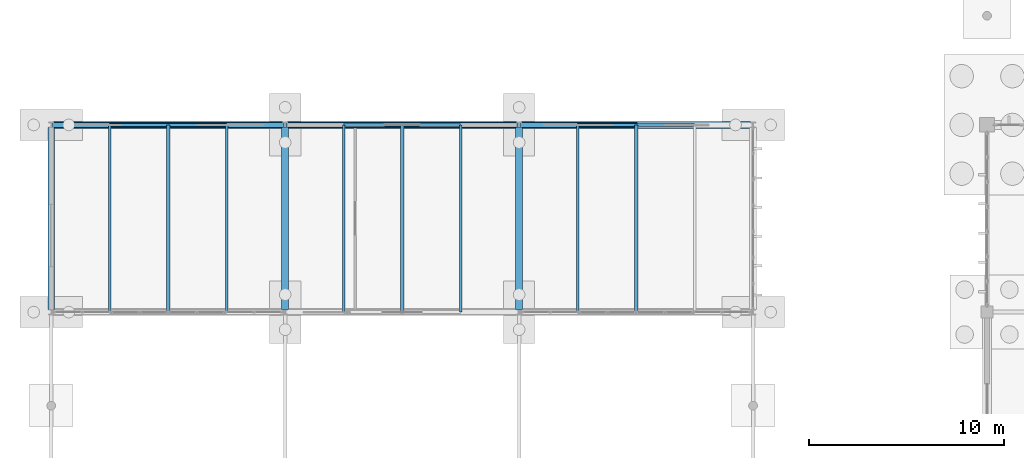
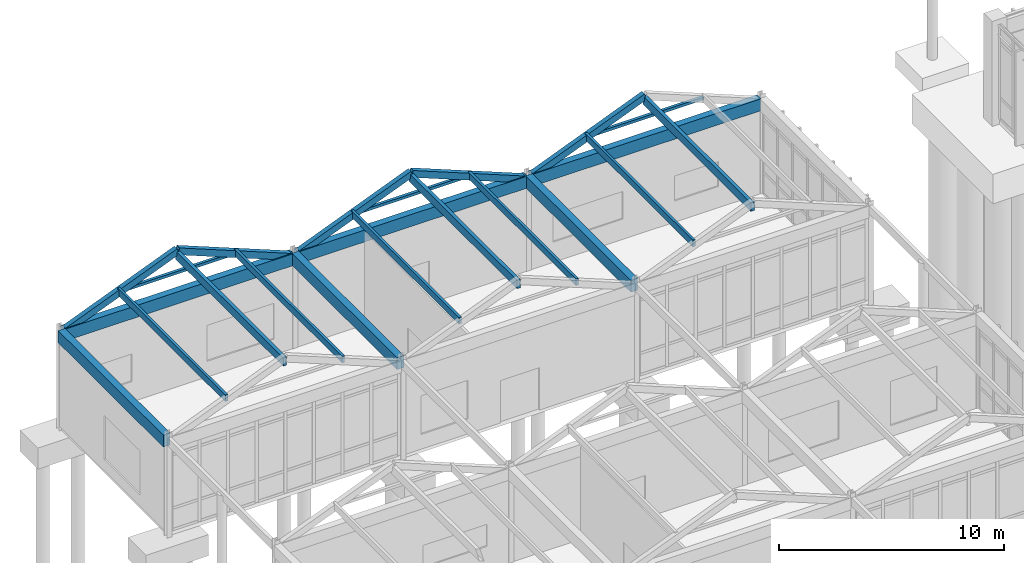
# One storey, part 66 of 188: 16 members, 6 beams.
"""IFC4 building model written with IfcOpenShell, lengths in metres."""

from ifc_helpers import new_model, si_unit, direction, frame, origin, origin_2d, place, context, subcontext, project, spatial, rectangle, hollow_rectangle, extrude, material, material_profile, profile_set, type_object, element, save


model = new_model("IFC4")

# Units and contexts
model_context = context("Model", 3, precision=1e-05, world=origin(), true_north=direction((0.0, 1.0)))
body_context = subcontext(model_context, "Body", "Model", "MODEL_VIEW")
ifc_project = project(units=[si_unit("LENGTHUNIT", "METRE"), si_unit("AREAUNIT", "SQUARE_METRE"), si_unit("VOLUMEUNIT", "CUBIC_METRE"), si_unit("PLANEANGLEUNIT", "RADIAN"), si_unit("MASSUNIT", "GRAM", prefix="KILO")], contexts=[model_context])

# Site, building, storey
site_placement = place(None, origin())
site = spatial("IfcSite", under=ifc_project, at=site_placement, CompositionType="ELEMENT")
building_placement = place(site_placement, origin())
building = spatial("IfcBuilding", under=site, at=building_placement, Name="Pandanus Reach Market Hall", CompositionType="ELEMENT")
storey_placement = place(building_placement, origin())
storey = spatial("IfcBuildingStorey", under=building, at=storey_placement, Name="L00", CompositionType="ELEMENT", Elevation=0.0)

# Beams
ifc_material_1 = material(Name="Concrete N40 (40 MPa)", Category="concrete")
ifc_material_profile_1 = material_profile(ifc_material_1, rectangle(XDim=0.35009765625, YDim=0.64990234375, at=origin_2d()), Name="RC350x650", Category="LoadBearing")
ifc_profile_set_1 = profile_set([ifc_material_profile_1], Name="Concrete N40 (40 MPa)")
beam_type = type_object("IfcBeamType", Name="BM-RC350-E", PredefinedType="SPANDREL", material=ifc_profile_set_1)
for number, where, z_axis, x_axis, name in (
    (1, (0.0, 76.925048828125, 4.8798828125), (0.0, 1.0, 0.0), (-1.0, 0.0, 0.0), "Framing beam BM-RC350-E L00.1172"),
    (2, (12.0, 76.925048828125, 4.8798828125), (0.0, 1.0, 0.0), (-1.0, 0.0, 0.0), "Framing beam BM-RC350-E L00.1173"),
):
    element("IfcBeam", number, at=place(storey_placement, frame(where, z_axis=z_axis, x_axis=x_axis)), inside=storey, type_object=beam_type, Name=name, PredefinedType="SPANDREL", context=body_context, shape_type="SweptSolid", body=[
        extrude(rectangle(XDim=0.35009765625, YDim=0.64990234375, at=origin_2d()), origin(), (0.0, 0.0, 1.0), 9.349853515625),
    ])
beam_1_placement = place(storey_placement, frame((0.125, 86.39990234375, 4.8798828125), z_axis=(1.0, 0.0, 0.0), x_axis=(0.0, 1.0, 0.0)))
element("IfcBeam", 3, at=beam_1_placement, inside=storey, type_object=beam_type, Name="Framing beam BM-RC350-E L00.1175", PredefinedType="SPANDREL", context=body_context, shape_type="SweptSolid", body=[
    extrude(rectangle(XDim=0.35009765625, YDim=0.64990234375, at=origin_2d()), origin(), (0.0, 0.0, 1.0), 11.75),
])
beam_2_placement = place(storey_placement, frame((24.0, 76.925048828125, 4.8798828125), z_axis=(0.0, 1.0, 0.0), x_axis=(-1.0, 0.0, 0.0)))
element("IfcBeam", 4, at=beam_2_placement, inside=storey, type_object=beam_type, Name="Framing beam BM-RC350-E L00.1176", PredefinedType="SPANDREL", context=body_context, shape_type="SweptSolid", body=[
    extrude(rectangle(XDim=0.35009765625, YDim=0.64990234375, at=origin_2d()), origin(), (0.0, 0.0, 1.0), 9.349853515625),
])
for number, where, z_axis, x_axis, name in (
    (5, (12.125, 86.39990234375, 4.8798828125), (1.0, 0.0, 0.0), (0.0, 1.0, 0.0), "Framing beam BM-RC350-E L00.1178"),
    (6, (24.125, 86.39990234375, 4.8798828125), (1.0, 0.0, 0.0), (0.0, 1.0, 0.0), "Framing beam BM-RC350-E L00.1181"),
):
    element("IfcBeam", number, at=place(storey_placement, frame(where, z_axis=z_axis, x_axis=x_axis)), inside=storey, type_object=beam_type, Name=name, PredefinedType="SPANDREL", context=body_context, shape_type="SweptSolid", body=[
        extrude(rectangle(XDim=0.35009765625, YDim=0.64990234375, at=origin_2d()), origin(), (0.0, 0.0, 1.0), 11.75),
    ])

# Members
ifc_material_2 = material(Name="Steel Grade 350 (350 MPa)", Category="steel")
ifc_material_profile_2 = material_profile(ifc_material_2, hollow_rectangle(XDim=0.14990234375, YDim=0.14990234375, WallThickness=0.009033203125, at=origin_2d()), Name="150x150x9.0SHS", Category="LoadBearing")
ifc_profile_set_2 = profile_set([ifc_material_profile_2], Name="Steel Grade 350 (350 MPa)")
member_type_1 = type_object("IfcMemberType", Name="CL-SHS150-I", PredefinedType="COLLAR", material=ifc_profile_set_2)
for number, where, z_axis, x_axis, name in (
    (7, (3.0, 86.39990234375, 6.166748046875), (1.0, 0.0, 0.0), (0.0, 1.0, 0.0), "Gable collar tie R3.B1"),
    (8, (15.0, 86.39990234375, 6.166748046875), (1.0, 0.0, 0.0), (0.0, 1.0, 0.0), "Gable collar tie R3.B2"),
    (9, (27.0, 86.39990234375, 6.166748046875), (1.0, 0.0, 0.0), (0.0, 1.0, 0.0), "Gable collar tie R3.B3"),
):
    element("IfcMember", number, at=place(storey_placement, frame(where, z_axis=z_axis, x_axis=x_axis)), inside=storey, type_object=member_type_1, Name=name, PredefinedType="COLLAR", context=body_context, shape_type="SweptSolid", body=[
        extrude(hollow_rectangle(XDim=0.14990234375, YDim=0.14990234375, WallThickness=0.009033203125, at=origin_2d()), origin(), (0.0, 0.0, 1.0), 6.0),
    ])
ifc_material_3 = material(Name="Glulam timber GL17", Category="wood")
ifc_material_profile_3 = material_profile(ifc_material_3, rectangle(XDim=0.1298828125, YDim=0.360107421875, at=origin_2d()), Name="GL130x360", Category="LoadBearing")
ifc_profile_set_3 = profile_set([ifc_material_profile_3], Name="Glulam timber GL17")
member_type_2 = type_object("IfcMemberType", Name="PR-GL130-E", PredefinedType="PURLIN", material=ifc_profile_set_3)
for number, where, z_axis, x_axis, name in (
    (10, (3.0, 76.800048828125, 6.189697265625), (0.0, 1.0, 0.0), (-1.0, 0.0, 0.0), "Gable slope glulam purlin R3.B1W"),
    (11, (9.0, 76.800048828125, 6.189697265625), (0.0, 1.0, 0.0), (-1.0, 0.0, 0.0), "Gable slope glulam purlin R3.B1E"),
    (12, (15.0, 76.800048828125, 6.189697265625), (0.0, 1.0, 0.0), (-1.0, 0.0, 0.0), "Gable slope glulam purlin R3.B2W"),
    (13, (21.0, 76.800048828125, 6.189697265625), (0.0, 1.0, 0.0), (-1.0, 0.0, 0.0), "Gable slope glulam purlin R3.B2E"),
    (14, (27.0, 76.800048828125, 6.189697265625), (0.0, 1.0, 0.0), (-1.0, 0.0, 0.0), "Gable slope glulam purlin R3.B3W"),
):
    element("IfcMember", number, at=place(storey_placement, frame(where, z_axis=z_axis, x_axis=x_axis)), inside=storey, type_object=member_type_2, Name=name, PredefinedType="PURLIN", context=body_context, shape_type="SweptSolid", body=[
        extrude(rectangle(XDim=0.1298828125, YDim=0.360107421875, at=origin_2d()), origin(), (0.0, 0.0, 1.0), 9.599853515625),
    ])
ifc_material_profile_4 = material_profile(ifc_material_3, rectangle(XDim=0.175048828125, YDim=0.449951171875, at=origin_2d()), Name="GL175x450", Category="LoadBearing")
ifc_profile_set_4 = profile_set([ifc_material_profile_4], Name="Glulam timber GL17")
member_type_3 = type_object("IfcMemberType", Name="PR-GL175-E", PredefinedType="PURLIN", material=ifc_profile_set_4)
for number, where, z_axis, x_axis, name in (
    (15, (6.0, 76.800048828125, 7.11865234375), (0.0, 1.0, 0.0), (-1.0, 0.0, 0.0), "Gable ridge glulam purlin R3.B1"),
    (16, (18.0, 76.800048828125, 7.11865234375), (0.0, 1.0, 0.0), (-1.0, 0.0, 0.0), "Gable ridge glulam purlin R3.B2"),
    (17, (30.0, 76.800048828125, 7.11865234375), (0.0, 1.0, 0.0), (-1.0, 0.0, 0.0), "Gable ridge glulam purlin R3.B3"),
):
    element("IfcMember", number, at=place(storey_placement, frame(where, z_axis=z_axis, x_axis=x_axis)), inside=storey, type_object=member_type_3, Name=name, PredefinedType="PURLIN", context=body_context, shape_type="SweptSolid", body=[
        extrude(rectangle(XDim=0.175048828125, YDim=0.449951171875, at=origin_2d()), origin(), (0.0, 0.0, 1.0), 9.599853515625),
    ])
ifc_material_profile_5 = material_profile(ifc_material_2, hollow_rectangle(XDim=0.25, YDim=0.35009765625, WallThickness=0.012451171875, at=origin_2d()), Name="350x250x12.5RHS", Category="LoadBearing")
ifc_profile_set_5 = profile_set([ifc_material_profile_5], Name="Steel Grade 350 (350 MPa)")
member_type_4 = type_object("IfcMemberType", Name="RF-RHS350-E", PredefinedType="RAFTER", material=ifc_profile_set_5)
for number, where, z_axis, x_axis, name in (
    (18, (0.1201171875, 86.39990234375, 4.985107421875), (0.927845665363, 0.0, 0.372964369971), (0.0, 1.0, 0.0), "Steep gable rafter R3.B1W"),
    (19, (6.0, 86.39990234375, 7.3486328125), (0.927845665363, 0.0, -0.372964369971), (0.0, 1.0, 0.0), "Steep gable rafter R3.B1E"),
    (20, (12.1201171875, 86.39990234375, 4.985107421875), (0.927845665363, 0.0, 0.372964369971), (0.0, 1.0, 0.0), "Steep gable rafter R3.B2W"),
    (21, (18.0, 86.39990234375, 7.3486328125), (0.927845665363, 0.0, -0.372964369971), (0.0, 1.0, 0.0), "Steep gable rafter R3.B2E"),
    (22, (24.1201171875, 86.39990234375, 4.985107421875), (0.927845665363, 0.0, 0.372964369971), (0.0, 1.0, 0.0), "Steep gable rafter R3.B3W"),
):
    element("IfcMember", number, at=place(storey_placement, frame(where, z_axis=z_axis, x_axis=x_axis)), inside=storey, type_object=member_type_4, Name=name, PredefinedType="RAFTER", context=body_context, shape_type="SweptSolid", body=[
        extrude(hollow_rectangle(XDim=0.25, YDim=0.35009765625, WallThickness=0.012451171875, at=origin_2d()), origin(), (0.0, 0.0, 1.0), 6.337158203125),
    ])

save(model, "model.ifc")
